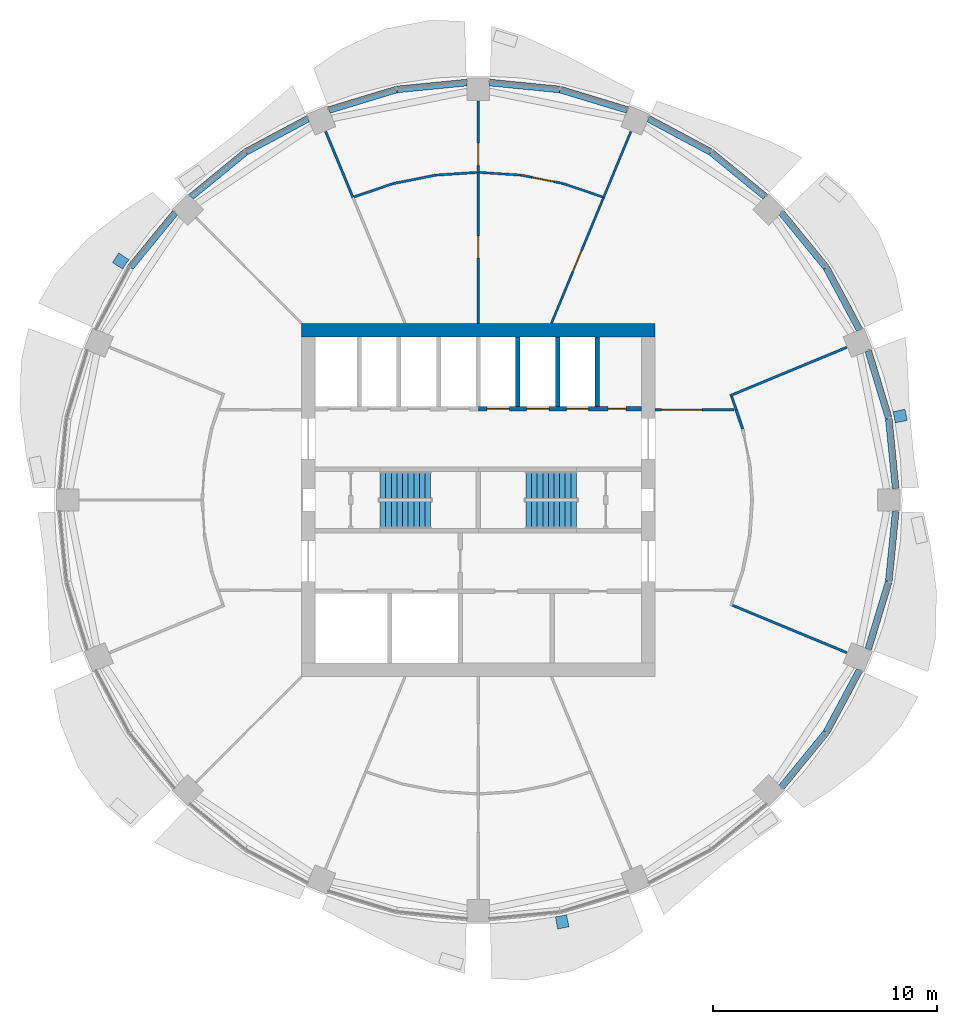
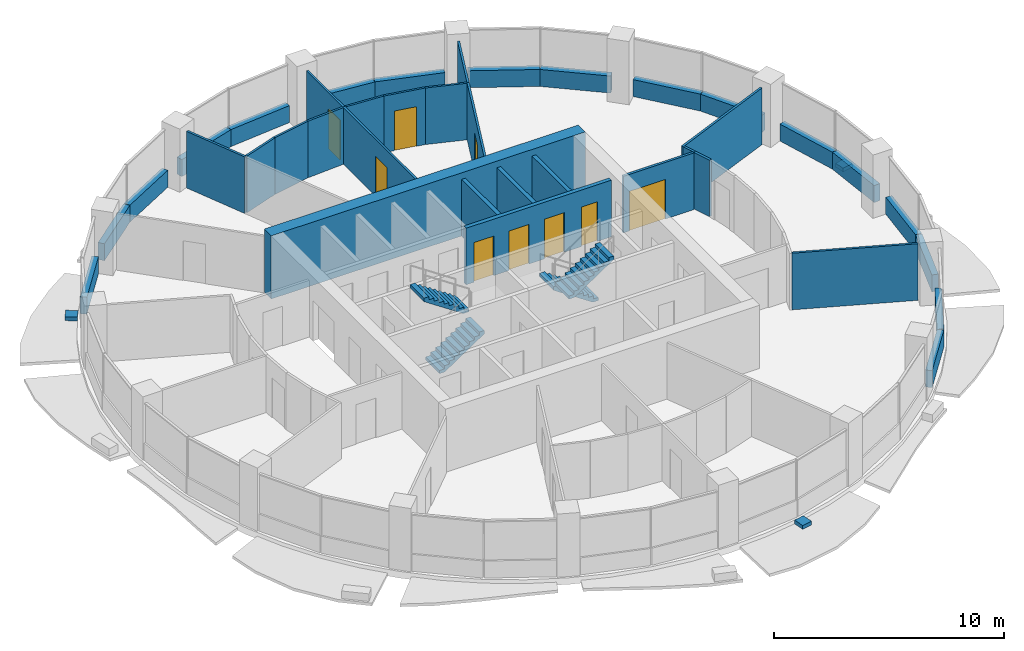
# One storey, part 10 of 14: 38 walls, 9 doors, 4 stair flights, 3 discrete accessories, 9 openings, 2 elements without a shape of their own.
"""IFC4 building model written with IfcOpenShell, lengths in metres."""

from ifc_helpers import new_model, si_unit, direction, frame, frame_2d, origin, place, context, subcontext, project, spatial, polyline, rectangle, outline, extrude, material, layer, layer_set, type_object, element, fill, aggregate, save


model = new_model("IFC4")

# Units and contexts
model_context = context("Model", 3, precision=1e-05, world=origin(), true_north=direction((0.0, 1.0)))
body_context = subcontext(model_context, "Body", "Model", "MODEL_VIEW")
ifc_project = project(units=[si_unit("LENGTHUNIT", "METRE"), si_unit("AREAUNIT", "SQUARE_METRE"), si_unit("VOLUMEUNIT", "CUBIC_METRE"), si_unit("PLANEANGLEUNIT", "RADIAN"), si_unit("MASSUNIT", "GRAM", prefix="KILO")], contexts=[model_context])

# Site, building, storey
site_placement = place(None, origin())
site = spatial("IfcSite", under=ifc_project, at=site_placement, CompositionType="ELEMENT")
building_placement = place(site_placement, origin())
building = spatial("IfcBuilding", under=site, at=building_placement, Name="Polderwave Tower", CompositionType="ELEMENT")
storey_placement = place(building_placement, frame((0.0, 0.0, 144.39990234375)))
storey = spatial("IfcBuildingStorey", under=building, at=storey_placement, Name="L38", CompositionType="ELEMENT", Elevation=144.39990234375)

# Walls
ifc_material_1 = material(Name="Concrete C60/75", Category="concrete")
ifc_layer_1 = layer(ifc_material_1, 0.60009765625)
ifc_layer_set_1 = layer_set([ifc_layer_1], Name="CORE WALL 600 C60/75")
wall_type_1 = type_object("IfcWallType", Name="CORE WALL 600 C60/75", PredefinedType="SHEAR", material=ifc_layer_set_1)
wall_1_placement = place(storey_placement, frame((-7.8740234375, 7.573974609375, 0.0), z_axis=(0.0, 0.0, 1.0), x_axis=(1.0, 0.0, 0.0)))
element("IfcWall", 1, at=wall_1_placement, inside=storey, type_object=wall_type_1, Name="ST-CORE-L38-N", PredefinedType="SHEAR", context=body_context, shape_type="SweptSolid", body=[
    extrude(rectangle(XDim=15.748046875, YDim=0.60009765625, at=frame_2d((7.8740234375, 0.0))), origin(), (0.0, 0.0, 1.0), 3.35009765625),
])
ifc_material_2 = material(Name="Concrete C50/60 (board-marked)", Category="concrete")
ifc_layer_2 = layer(ifc_material_2, 0.300048828125)
ifc_layer_set_2 = layer_set([ifc_layer_2], Name="Concrete spandrel upstand C50/60")
wall_type_2 = type_object("IfcWallType", Name="Concrete spandrel upstand C50/60", PredefinedType="SOLIDWALL", material=ifc_layer_set_2)
wall_2_placement = place(storey_placement, frame((18.599609375, 0.513916015625, 0.0), z_axis=(0.0, 0.0, 1.0), x_axis=(-0.097994848851, 0.995186921939, 0.0)))
element("IfcWall", 2, at=wall_2_placement, inside=storey, type_object=wall_type_2, Name="Spandrel L38 1a", PredefinedType="SOLIDWALL", context=body_context, shape_type="SweptSolid", body=[
    extrude(rectangle(XDim=3.124267578125, YDim=0.300048828125, at=frame_2d((1.56201171875, 0.0))), origin(), (0.0, 0.0, 1.0), 0.900146484375),
])
for number, where, z_axis, x_axis, name in (
    (3, (18.28759765625, 3.65234375, 0.0), (0.0, 0.0, 1.0), (-0.290614442714, 0.95684024042, 0.0), "Spandrel L38 1b"),
    (4, (16.98681640625, 7.59228515625, 0.0), (0.0, 0.0, 1.0), (-0.471577373746, 0.881824688116, 0.0), "Spandrel L38 2a"),
    (5, (15.49658203125, 10.37255859375, 0.0), (0.0, 0.0, 1.0), (-0.633977746593, 0.773351289405, 0.0), "Spandrel L38 2b"),
    (6, (12.789306640625, 13.515380859375, 0.0), (0.0, 0.0, 1.0), (-0.773351289405, 0.633977746593, 0.0), "Spandrel L38 3a"),
    (7, (10.347900390625, 15.51318359375, 0.0), (0.0, 0.0, 1.0), (-0.881824688116, 0.471577373746, 0.0), "Spandrel L38 3b"),
    (8, (6.642578125, 17.37939453125, 0.0), (0.0, 0.0, 1.0), (-0.95684024042, 0.290614442714, 0.0), "Spandrel L38 4a"),
):
    element("IfcWall", number, at=place(storey_placement, frame(where, z_axis=z_axis, x_axis=x_axis)), inside=storey, type_object=wall_type_2, Name=name, PredefinedType="SOLIDWALL", context=body_context, shape_type="SweptSolid", body=[
        extrude(rectangle(XDim=3.125, YDim=0.300048828125, at=frame_2d((1.5625, 0.0))), origin(), (0.0, 0.0, 1.0), 0.900146484375),
    ])
for number, where, z_axis, x_axis, name in (
    (9, (3.623046875, 18.29345703125, 0.0), (0.0, 0.0, 1.0), (-0.995186921939, 0.097994848851, 0.0), "Spandrel L38 4b"),
    (10, (-0.513916015625, 18.599609375, 0.0), (0.0, 0.0, 1.0), (-0.995186921939, -0.097994848851, 0.0), "Spandrel L38 5a"),
):
    element("IfcWall", number, at=place(storey_placement, frame(where, z_axis=z_axis, x_axis=x_axis)), inside=storey, type_object=wall_type_2, Name=name, PredefinedType="SOLIDWALL", context=body_context, shape_type="SweptSolid", body=[
        extrude(rectangle(XDim=3.124267578125, YDim=0.300048828125, at=frame_2d((1.56201171875, 0.0))), origin(), (0.0, 0.0, 1.0), 0.900146484375),
    ])
for number, where, z_axis, x_axis, name in (
    (11, (-3.65234375, 18.28759765625, 0.0), (0.0, 0.0, 1.0), (-0.95684024042, -0.290614442714, 0.0), "Spandrel L38 5b"),
    (12, (-7.59228515625, 16.98681640625, 0.0), (0.0, 0.0, 1.0), (-0.881824688116, -0.471577373746, 0.0), "Spandrel L38 6a"),
    (13, (-10.37255859375, 15.49658203125, 0.0), (0.0, 0.0, 1.0), (-0.773351289405, -0.633977746593, 0.0), "Spandrel L38 6b"),
    (14, (-13.515380859375, 12.789306640625, 0.0), (0.0, 0.0, 1.0), (-0.633977746593, -0.773351289405, 0.0), "Spandrel L38 7a"),
    (15, (13.515380859375, -12.789306640625, 0.0), (0.0, 0.0, 1.0), (0.633977746593, 0.773351289405, 0.0), "Spandrel L38 15a"),
    (16, (15.51318359375, -10.347900390625, 0.0), (0.0, 0.0, 1.0), (0.471577373746, 0.881824688116, 0.0), "Spandrel L38 15b"),
    (17, (17.37939453125, -6.642578125, 0.0), (0.0, 0.0, 1.0), (0.290614442714, 0.95684024042, 0.0), "Spandrel L38 16a"),
):
    element("IfcWall", number, at=place(storey_placement, frame(where, z_axis=z_axis, x_axis=x_axis)), inside=storey, type_object=wall_type_2, Name=name, PredefinedType="SOLIDWALL", context=body_context, shape_type="SweptSolid", body=[
        extrude(rectangle(XDim=3.125, YDim=0.300048828125, at=frame_2d((1.5625, 0.0))), origin(), (0.0, 0.0, 1.0), 0.900146484375),
    ])
wall_3_placement = place(storey_placement, frame((18.29345703125, -3.623046875, 0.0), z_axis=(0.0, 0.0, 1.0), x_axis=(0.097994848851, 0.995186921939, 0.0)))
element("IfcWall", 18, at=wall_3_placement, inside=storey, type_object=wall_type_2, Name="Spandrel L38 16b", PredefinedType="SOLIDWALL", context=body_context, shape_type="SweptSolid", body=[
    extrude(rectangle(XDim=3.124267578125, YDim=0.300048828125, at=frame_2d((1.56201171875, 0.0))), origin(), (0.0, 0.0, 1.0), 0.900146484375),
])

# Wall, openings, doors
ifc_material_3 = material(Name="Concrete C50/60", Category="concrete")
ifc_layer_3 = layer(ifc_material_3, 0.199951171875)
ifc_layer_set_3 = layer_set([ifc_layer_3], Name="Core web wall 200")
wall_type_3 = type_object("IfcWallType", Name="Core web wall 200", PredefinedType="SHEAR", material=ifc_layer_set_3)
wall_4_placement = place(storey_placement, frame((0.0, 4.073974609375, 0.0), z_axis=(0.0, 0.0, 1.0), x_axis=(1.0, 0.0, 0.0)))
wall_4 = element("IfcWall", 19, at=wall_4_placement, inside=storey, type_object=wall_type_3, Name="L38 north front wall 2", PredefinedType="SHEAR", context=body_context, shape_type="SweptSolid", body=[
    extrude(rectangle(XDim=7.27392578125, YDim=0.199951171875, at=frame_2d((3.636962890625, 0.0))), origin(), (0.0, 0.0, 1.0), 3.0),
])
opening_1_placement = place(wall_4_placement, frame((0.38427734375, 0.0, 0.0)))
opening_1 = element("IfcOpeningElement", 20, at=opening_1_placement, cuts=wall_4, Name="Opening L38-D07", PredefinedType="OPENING", context=body_context, shape_type="SweptSolid", body=[
    extrude(rectangle(XDim=1.0, YDim=2.10009765625, at=frame_2d((0.5, 1.050048828125))), frame((0.0, 0.10986328125, 0.0), z_axis=(0.0, -1.0, 0.0), x_axis=(1.0, 0.0, 0.0)), (0.0, 0.0, 1.0), 0.219970703125),
])
opening_2_placement = place(wall_4_placement, frame((2.15283203125, 0.0, 0.0)))
opening_2 = element("IfcOpeningElement", 21, at=opening_2_placement, cuts=wall_4, Name="Opening L38-D08", PredefinedType="OPENING", context=body_context, shape_type="SweptSolid", body=[
    extrude(rectangle(XDim=1.0, YDim=2.10009765625, at=frame_2d((0.5, 1.050048828125))), frame((0.0, 0.10986328125, 0.0), z_axis=(0.0, -1.0, 0.0), x_axis=(1.0, 0.0, 0.0)), (0.0, 0.0, 1.0), 0.219970703125),
])
opening_3_placement = place(wall_4_placement, frame((3.921142578125, 0.0, 0.0)))
opening_3 = element("IfcOpeningElement", 22, at=opening_3_placement, cuts=wall_4, Name="Opening L38-D09", PredefinedType="OPENING", context=body_context, shape_type="SweptSolid", body=[
    extrude(rectangle(XDim=1.0, YDim=2.10009765625, at=frame_2d((0.5, 1.050048828125))), frame((0.0, 0.10986328125, 0.0), z_axis=(0.0, -1.0, 0.0), x_axis=(1.0, 0.0, 0.0)), (0.0, 0.0, 1.0), 0.219970703125),
])
opening_4_placement = place(wall_4_placement, frame((5.789794921875, 0.0, 0.0)))
opening_4 = element("IfcOpeningElement", 23, at=opening_4_placement, cuts=wall_4, Name="Opening L38-D17", PredefinedType="OPENING", context=body_context, shape_type="SweptSolid", body=[
    extrude(rectangle(XDim=0.800048828125, YDim=2.10009765625, at=frame_2d((0.39990234375, 1.050048828125))), frame((0.0, 0.10986328125, 0.0), z_axis=(0.0, -1.0, 0.0), x_axis=(1.0, 0.0, 0.0)), (0.0, 0.0, 1.0), 0.219970703125),
])
ifc_material_4 = material(Name="Stainless steel", Category="steel")
door_type_1 = type_object("IfcDoorType", Name="Lift landing door 1000", OperationType="DOUBLE_DOOR_SLIDING", PredefinedType="DOOR", material=ifc_material_4)
door_1_placement = place(opening_1_placement, frame((1.0, 0.0, 0.0), z_axis=(0.0, 0.0, 1.0), x_axis=(-1.0, 0.0, 0.0)))
door_1 = element("IfcDoor", 24, at=door_1_placement, inside=storey, type_object=door_type_1, Name="Lift HL5 landing door", OperationType="DOUBLE_DOOR_SLIDING", OverallHeight=2.10009765625, OverallWidth=1.0, PredefinedType="DOOR", context=body_context, shape_type="SweptSolid", body=[
    extrude(rectangle(XDim=1.0, YDim=2.10009765625, at=frame_2d((0.5, 1.050048828125))), frame((0.0, 0.02490234375, 0.0), z_axis=(0.0, -1.0, 0.0), x_axis=(1.0, 0.0, 0.0)), (0.0, 0.0, 1.0), 0.050048828125),
])
fill(opening_1, door_1)
door_2_placement = place(opening_2_placement, frame((1.0, 0.0, 0.0), z_axis=(0.0, 0.0, 1.0), x_axis=(-1.0, 0.0, 0.0)))
door_2 = element("IfcDoor", 25, at=door_2_placement, inside=storey, type_object=door_type_1, Name="Lift HL6 landing door", OperationType="DOUBLE_DOOR_SLIDING", OverallHeight=2.10009765625, OverallWidth=1.0, PredefinedType="DOOR", context=body_context, shape_type="SweptSolid", body=[
    extrude(rectangle(XDim=1.0, YDim=2.10009765625, at=frame_2d((0.5, 1.050048828125))), frame((0.0, 0.02490234375, 0.0), z_axis=(0.0, -1.0, 0.0), x_axis=(1.0, 0.0, 0.0)), (0.0, 0.0, 1.0), 0.050048828125),
])
fill(opening_2, door_2)
door_3_placement = place(opening_3_placement, frame((1.0, 0.0, 0.0), z_axis=(0.0, 0.0, 1.0), x_axis=(-1.0, 0.0, 0.0)))
door_3 = element("IfcDoor", 26, at=door_3_placement, inside=storey, type_object=door_type_1, Name="Lift HL7 landing door", OperationType="DOUBLE_DOOR_SLIDING", OverallHeight=2.10009765625, OverallWidth=1.0, PredefinedType="DOOR", context=body_context, shape_type="SweptSolid", body=[
    extrude(rectangle(XDim=1.0, YDim=2.10009765625, at=frame_2d((0.5, 1.050048828125))), frame((0.0, 0.02490234375, 0.0), z_axis=(0.0, -1.0, 0.0), x_axis=(1.0, 0.0, 0.0)), (0.0, 0.0, 1.0), 0.050048828125),
])
fill(opening_3, door_3)
ifc_material_5 = material(Name="Steel fire door", Category="steel")
door_type_2 = type_object("IfcDoorType", Name="Riser door 800", OperationType="NOTDEFINED", PredefinedType="DOOR", material=ifc_material_5)
door_4_placement = place(opening_4_placement, frame((0.800048828125, 0.0, 0.0), z_axis=(0.0, 0.0, 1.0), x_axis=(-1.0, 0.0, 0.0)))
door_4 = element("IfcDoor", 27, at=door_4_placement, inside=storey, type_object=door_type_2, Name="Riser door", OperationType="SINGLE_SWING_LEFT", OverallHeight=2.10009765625, OverallWidth=0.800048828125, PredefinedType="DOOR", context=body_context, shape_type="SweptSolid", body=[
    extrude(rectangle(XDim=0.800048828125, YDim=2.10009765625, at=frame_2d((0.39990234375, 1.050048828125))), frame((0.0, 0.02490234375, 0.0), z_axis=(0.0, -1.0, 0.0), x_axis=(1.0, 0.0, 0.0)), (0.0, 0.0, 1.0), 0.050048828125),
])
fill(opening_4, door_4)

# Wall
ifc_material_6 = material(Name="Fire-resisting board on steel studs", Category="steel")
ifc_layer_4 = layer(ifc_material_6, 0.125)
ifc_layer_set_4 = layer_set([ifc_layer_4], Name="Corridor wall 125 mm EI 60")
wall_type_4 = type_object("IfcWallType", Name="Corridor wall 125 mm EI 60", PredefinedType="PARTITIONING", material=ifc_layer_set_4)
wall_5_placement = place(storey_placement, frame((11.489990234375, 4.0244140625, 0.0), z_axis=(0.0, 0.0, 1.0), x_axis=(0.321528033916, -0.946900059883, 0.0)))
element("IfcWall", 28, at=wall_5_placement, inside=storey, type_object=wall_type_4, Name="IN-L38-W001", PredefinedType="PARTITIONING", context=body_context, shape_type="SweptSolid", body=[
    extrude(rectangle(XDim=0.9111328125, YDim=0.125, at=frame_2d((0.45556640625, 0.0))), origin(), (0.0, 0.0, 1.0), 3.0),
])

# Wall, opening, door
wall_6_placement = place(storey_placement, frame((7.8740234375, 4.0244140625, 0.0), z_axis=(0.0, 0.0, 1.0), x_axis=(1.0, 0.0, 0.0)))
wall_6 = element("IfcWall", 29, at=wall_6_placement, inside=storey, type_object=wall_type_4, Name="IN-L38-W007", PredefinedType="PARTITIONING", context=body_context, shape_type="SweptSolid", body=[
    extrude(rectangle(XDim=3.52880859375, YDim=0.125, at=frame_2d((1.764404296875, 0.0))), origin(), (0.0, 0.0, 1.0), 3.0),
])
opening_5_placement = place(wall_6_placement, frame((0.300048828125, 0.0, 0.0)))
opening_5 = element("IfcOpeningElement", 30, at=opening_5_placement, cuts=wall_6, Name="Opening L38-D51", PredefinedType="OPENING", context=body_context, shape_type="SweptSolid", body=[
    extrude(rectangle(XDim=1.800048828125, YDim=2.10009765625, at=frame_2d((0.89990234375, 1.050048828125))), frame((0.0, 0.072509765625, 0.0), z_axis=(0.0, -1.0, 0.0), x_axis=(1.0, 0.0, 0.0)), (0.0, 0.0, 1.0), 0.14501953125),
])
ifc_material_7 = material(Name="Timber fire door leaves", Category="wood")
door_type_3 = type_object("IfcDoorType", Name="Double fire door FD30S 1800 x 2100", OperationType="NOTDEFINED", PredefinedType="DOOR", material=ifc_material_7)
door_5_placement = place(opening_5_placement, origin())
door_5 = element("IfcDoor", 31, at=door_5_placement, inside=storey, type_object=door_type_3, Name="Door L38-D51", OperationType="DOUBLE_DOOR_SINGLE_SWING", OverallHeight=2.10009765625, OverallWidth=1.800048828125, PredefinedType="DOOR", context=body_context, shape_type="SweptSolid", body=[
    extrude(rectangle(XDim=1.800048828125, YDim=2.10009765625, at=frame_2d((0.89990234375, 1.050048828125))), frame((0.0, 0.02490234375, 0.0), z_axis=(0.0, -1.0, 0.0), x_axis=(1.0, 0.0, 0.0)), (0.0, 0.0, 1.0), 0.050048828125),
])
fill(opening_5, door_5)

ifc_material_8 = material(Name="Plasterboard on steel studs", Category="steel")
ifc_layer_5 = layer(ifc_material_8, 0.10009765625)
ifc_layer_set_5 = layer_set([ifc_layer_5], Name="Partition 100 mm plasterboard on steel studs")
wall_type_5 = type_object("IfcWallType", Name="Partition 100 mm plasterboard on steel studs", PredefinedType="PARTITIONING", material=ifc_layer_set_5)
wall_7_placement = place(storey_placement, frame((3.261474609375, 7.8740234375, 0.0), z_axis=(0.0, 0.0, 1.0), x_axis=(0.382694772383, 0.92387483524, 0.0)))
wall_7 = element("IfcWall", 32, at=wall_7_placement, inside=storey, type_object=wall_type_5, Name="IN-L38-W021", PredefinedType="PARTITIONING", context=body_context, shape_type="SweptSolid", body=[
    extrude(rectangle(XDim=6.0771484375, YDim=0.10009765625, at=frame_2d((3.03857421875, 0.0))), origin(), (0.0, 0.0, 1.0), 3.0),
])
opening_6_placement = place(wall_7_placement, frame((2.5, 0.0, 0.0)))
opening_6 = element("IfcOpeningElement", 33, at=opening_6_placement, cuts=wall_7, Name="Opening L38-D57", PredefinedType="OPENING", context=body_context, shape_type="SweptSolid", body=[
    extrude(rectangle(XDim=1.0, YDim=2.10009765625, at=frame_2d((0.5, 1.050048828125))), frame((0.0, 0.06005859375, 0.0), z_axis=(0.0, -1.0, 0.0), x_axis=(1.0, 0.0, 0.0)), (0.0, 0.0, 1.0), 0.1201171875),
])
ifc_material_9 = material(Name="Timber veneer door leaf", Category="wood")
door_type_4 = type_object("IfcDoorType", Name="Single door 1000 x 2100", OperationType="NOTDEFINED", PredefinedType="DOOR", material=ifc_material_9)
door_6_placement = place(opening_6_placement, origin())
door_6 = element("IfcDoor", 34, at=door_6_placement, inside=storey, type_object=door_type_4, Name="Door L38-D57", OperationType="SINGLE_SWING_LEFT", OverallHeight=2.10009765625, OverallWidth=1.0, PredefinedType="DOOR", context=body_context, shape_type="SweptSolid", body=[
    extrude(rectangle(XDim=1.0, YDim=2.10009765625, at=frame_2d((0.5, 1.050048828125))), frame((0.0, 0.02490234375, 0.0), z_axis=(0.0, -1.0, 0.0), x_axis=(1.0, 0.0, 0.0)), (0.0, 0.0, 1.0), 0.050048828125),
])
fill(opening_6, door_6)

# Walls
wall_8_placement = place(storey_placement, frame((5.587158203125, 13.488525390625, 0.0), z_axis=(0.0, 0.0, 1.0), x_axis=(0.382689618566, 0.923876970079, 0.0)))
element("IfcWall", 35, at=wall_8_placement, inside=storey, type_object=wall_type_5, Name="IN-L38-W022", PredefinedType="PARTITIONING", context=body_context, shape_type="SweptSolid", body=[
    extrude(rectangle(XDim=3.169921875, YDim=0.10009765625, at=frame_2d((1.5849609375, 0.0))), origin(), (0.0, 0.0, 1.0), 3.0),
])
wall_9_placement = place(storey_placement, frame((0.055908203125, 14.59619140625, 0.0), z_axis=(0.0, 0.0, 1.0), x_axis=(0.99786499138, -0.065310481387, 0.0)))
element("IfcWall", 36, at=wall_9_placement, inside=storey, type_object=wall_type_5, Name="IN-L38-W023", PredefinedType="PARTITIONING", context=body_context, shape_type="SweptSolid", body=[
    extrude(rectangle(XDim=1.850341796875, YDim=0.10009765625, at=frame_2d((0.92529296875, 0.0))), origin(), (0.0, 0.0, 1.0), 3.0),
])

# Wall, opening, door
wall_10_placement = place(storey_placement, frame((1.908935546875, 14.474609375, 0.0), z_axis=(0.0, 0.0, 1.0), x_axis=(0.980757879189, -0.195228026697, 0.0)))
wall_10 = element("IfcWall", 37, at=wall_10_placement, inside=storey, type_object=wall_type_5, Name="IN-L38-W024", PredefinedType="PARTITIONING", context=body_context, shape_type="SweptSolid", body=[
    extrude(rectangle(XDim=1.9033203125, YDim=0.10009765625, at=frame_2d((0.95166015625, 0.0))), origin(), (0.0, 0.0, 1.0), 3.0),
])
opening_7_placement = place(wall_10_placement, frame((0.5, 0.0, 0.0)))
opening_7 = element("IfcOpeningElement", 38, at=opening_7_placement, cuts=wall_10, Name="Opening L38-D58", PredefinedType="OPENING", context=body_context, shape_type="SweptSolid", body=[
    extrude(rectangle(XDim=1.0, YDim=2.10009765625, at=frame_2d((0.5, 1.050048828125))), frame((0.0, 0.06005859375, 0.0), z_axis=(0.0, -1.0, 0.0), x_axis=(1.0, 0.0, 0.0)), (0.0, 0.0, 1.0), 0.1201171875),
])
door_7_placement = place(opening_7_placement, origin())
door_7 = element("IfcDoor", 39, at=door_7_placement, inside=storey, type_object=door_type_4, Name="Door L38-D58", OperationType="SINGLE_SWING_RIGHT", OverallHeight=2.10009765625, OverallWidth=1.0, PredefinedType="DOOR", context=body_context, shape_type="SweptSolid", body=[
    extrude(rectangle(XDim=1.0, YDim=2.10009765625, at=frame_2d((0.5, 1.050048828125))), frame((0.0, 0.02490234375, 0.0), z_axis=(0.0, -1.0, 0.0), x_axis=(1.0, 0.0, 0.0)), (0.0, 0.0, 1.0), 0.050048828125),
])
fill(opening_7, door_7)

# Wall
wall_11_placement = place(storey_placement, frame((3.781982421875, 14.101318359375, 0.0), z_axis=(0.0, 0.0, 1.0), x_axis=(0.94695650577, -0.321361752828, 0.0)))
element("IfcWall", 40, at=wall_11_placement, inside=storey, type_object=wall_type_5, Name="IN-L38-W025", PredefinedType="PARTITIONING", context=body_context, shape_type="SweptSolid", body=[
    extrude(rectangle(XDim=1.85302734375, YDim=0.10009765625, at=frame_2d((0.926513671875, 0.0))), origin(), (0.0, 0.0, 1.0), 3.0),
])

# Wall, opening, door
wall_12_placement = place(storey_placement, frame((0.0, 14.60009765625, 0.0), z_axis=(0.0, 0.0, 1.0), x_axis=(0.0, 1.0, 0.0)))
wall_12 = element("IfcWall", 41, at=wall_12_placement, inside=storey, type_object=wall_type_5, Name="IN-L38-W027", PredefinedType="PARTITIONING", context=body_context, shape_type="SweptSolid", body=[
    extrude(rectangle(XDim=3.169921875, YDim=0.10009765625, at=frame_2d((1.5849609375, 0.0))), origin(), (0.0, 0.0, 1.0), 3.0),
])
opening_8_placement = place(wall_12_placement, frame((0.300048828125, 0.0, 0.0)))
opening_8 = element("IfcOpeningElement", 42, at=opening_8_placement, cuts=wall_12, Name="Opening L38-D60", PredefinedType="OPENING", context=body_context, shape_type="SweptSolid", body=[
    extrude(rectangle(XDim=1.0, YDim=2.10009765625, at=frame_2d((0.5, 1.050048828125))), frame((0.0, 0.06005859375, 0.0), z_axis=(0.0, -1.0, 0.0), x_axis=(1.0, 0.0, 0.0)), (0.0, 0.0, 1.0), 0.1201171875),
])
door_8_placement = place(opening_8_placement, origin())
door_8 = element("IfcDoor", 43, at=door_8_placement, inside=storey, type_object=door_type_4, Name="Door L38-D60", OperationType="SINGLE_SWING_LEFT", OverallHeight=2.10009765625, OverallWidth=1.0, PredefinedType="DOOR", context=body_context, shape_type="SweptSolid", body=[
    extrude(rectangle(XDim=1.0, YDim=2.10009765625, at=frame_2d((0.5, 1.050048828125))), frame((0.0, 0.02490234375, 0.0), z_axis=(0.0, -1.0, 0.0), x_axis=(1.0, 0.0, 0.0)), (0.0, 0.0, 1.0), 0.050048828125),
])
fill(opening_8, door_8)

ifc_material_10 = material(Name="Moisture-resistant board on steel studs, tiled", Category="steel")
ifc_layer_6 = layer(ifc_material_10, 0.10498046875)
ifc_layer_set_6 = layer_set([ifc_layer_6], Name="Partition 105 mm wet room board and tile")
wall_type_6 = type_object("IfcWallType", Name="Partition 105 mm wet room board and tile", PredefinedType="PARTITIONING", material=ifc_layer_set_6)
wall_13_placement = place(storey_placement, frame((0.0, 7.8740234375, 0.0), z_axis=(0.0, 0.0, 1.0), x_axis=(0.0, 1.0, 0.0)))
wall_13 = element("IfcWall", 44, at=wall_13_placement, inside=storey, type_object=wall_type_6, Name="IN-L38-W026", PredefinedType="PARTITIONING", context=body_context, shape_type="SweptSolid", body=[
    extrude(rectangle(XDim=6.72607421875, YDim=0.10498046875, at=frame_2d((3.363037109375, 0.0))), origin(), (0.0, 0.0, 1.0), 3.0),
])
opening_9_placement = place(wall_13_placement, frame((2.89990234375, 0.0, 0.0)))
opening_9 = element("IfcOpeningElement", 45, at=opening_9_placement, cuts=wall_13, Name="Opening L38-D59", PredefinedType="OPENING", context=body_context, shape_type="SweptSolid", body=[
    extrude(rectangle(XDim=1.0, YDim=2.10009765625, at=frame_2d((0.5, 1.050048828125))), frame((0.0, 0.0625, 0.0), z_axis=(0.0, -1.0, 0.0), x_axis=(1.0, 0.0, 0.0)), (0.0, 0.0, 1.0), 0.125),
])
door_9_placement = place(opening_9_placement, origin())
door_9 = element("IfcDoor", 46, at=door_9_placement, inside=storey, type_object=door_type_4, Name="Door L38-D59", OperationType="SINGLE_SWING_RIGHT", OverallHeight=2.10009765625, OverallWidth=1.0, PredefinedType="DOOR", context=body_context, shape_type="SweptSolid", body=[
    extrude(rectangle(XDim=1.0, YDim=2.10009765625, at=frame_2d((0.5, 1.050048828125))), frame((0.0, 0.02490234375, 0.0), z_axis=(0.0, -1.0, 0.0), x_axis=(1.0, 0.0, 0.0)), (0.0, 0.0, 1.0), 0.050048828125),
])
fill(opening_9, door_9)

# Walls
wall_14_placement = place(storey_placement, frame((-5.53173828125, 13.50732421875, 0.0), z_axis=(0.0, 0.0, 1.0), x_axis=(0.946924847976, 0.321455023737, 0.0)))
element("IfcWall", 47, at=wall_14_placement, inside=storey, type_object=wall_type_6, Name="IN-L38-W028", PredefinedType="PARTITIONING", context=body_context, shape_type="SweptSolid", body=[
    extrude(rectangle(XDim=1.847900390625, YDim=0.10498046875, at=frame_2d((0.923828125, 0.0))), origin(), (0.0, 0.0, 1.0), 3.0),
])
wall_15_placement = place(storey_placement, frame((-3.775390625, 14.103271484375, 0.0), z_axis=(0.0, 0.0, 1.0), x_axis=(0.980797213672, 0.19503031983, 0.0)))
element("IfcWall", 48, at=wall_15_placement, inside=storey, type_object=wall_type_6, Name="IN-L38-W029", PredefinedType="PARTITIONING", context=body_context, shape_type="SweptSolid", body=[
    extrude(rectangle(XDim=1.90283203125, YDim=0.10498046875, at=frame_2d((0.951416015625, 0.0))), origin(), (0.0, 0.0, 1.0), 3.0),
])
wall_16_placement = place(storey_placement, frame((-1.90234375, 14.475341796875, 0.0), z_axis=(0.0, 0.0, 1.0), x_axis=(0.99786499138, 0.065310481387, 0.0)))
element("IfcWall", 49, at=wall_16_placement, inside=storey, type_object=wall_type_6, Name="IN-L38-W030", PredefinedType="PARTITIONING", context=body_context, shape_type="SweptSolid", body=[
    extrude(rectangle(XDim=1.850341796875, YDim=0.10498046875, at=frame_2d((0.92529296875, 0.0))), origin(), (0.0, 0.0, 1.0), 3.0),
])
ifc_material_11 = material(Name="Acoustic double plasterboard on steel studs", Category="steel")
ifc_layer_7 = layer(ifc_material_11, 0.110107421875)
ifc_layer_set_7 = layer_set([ifc_layer_7], Name="Partition 110 mm acoustic double board")
wall_type_7 = type_object("IfcWallType", Name="Partition 110 mm acoustic double board", PredefinedType="PARTITIONING", material=ifc_layer_set_7)
wall_17_placement = place(storey_placement, frame((11.220458984375, 4.647705078125, 0.0), z_axis=(0.0, 0.0, 1.0), x_axis=(0.923878763535, 0.382685288833, 0.0)))
element("IfcWall", 50, at=wall_17_placement, inside=storey, type_object=wall_type_7, Name="IN-L38-W017", PredefinedType="PARTITIONING", context=body_context, shape_type="SweptSolid", body=[
    extrude(rectangle(XDim=5.625, YDim=0.110107421875, at=frame_2d((2.8125, 0.0))), origin(), (0.0, 0.0, 1.0), 3.0),
])
wall_18_placement = place(storey_placement, frame((11.489990234375, 4.0244140625, 0.0), z_axis=(0.0, 0.0, 1.0), x_axis=(-0.321290054949, 0.946980834331, 0.0)))
element("IfcWall", 51, at=wall_18_placement, inside=storey, type_object=wall_type_7, Name="IN-L38-W018", PredefinedType="PARTITIONING", context=body_context, shape_type="SweptSolid", body=[
    extrude(rectangle(XDim=0.62158203125, YDim=0.110107421875, at=frame_2d((0.310791015625, 0.0))), origin(), (0.0, 0.0, 1.0), 3.0),
])
wall_19_placement = place(storey_placement, frame((16.417236328125, -6.80029296875, 0.0), z_axis=(0.0, 0.0, 1.0), x_axis=(-0.923870508307, 0.382705217994, 0.0)))
element("IfcWall", 52, at=wall_19_placement, inside=storey, type_object=wall_type_7, Name="IN-L38-W020", PredefinedType="PARTITIONING", context=body_context, shape_type="SweptSolid", body=[
    extrude(rectangle(XDim=5.51123046875, YDim=0.110107421875, at=frame_2d((2.755615234375, 0.0))), origin(), (0.0, 0.0, 1.0), 3.0),
])
wall_20_placement = place(storey_placement, frame((-5.587158203125, 13.488525390625, 0.0), z_axis=(0.0, 0.0, 1.0), x_axis=(-0.382689618566, 0.923876970079, 0.0)))
element("IfcWall", 53, at=wall_20_placement, inside=storey, type_object=wall_type_7, Name="IN-L38-W032", PredefinedType="PARTITIONING", context=body_context, shape_type="SweptSolid", body=[
    extrude(rectangle(XDim=3.169921875, YDim=0.110107421875, at=frame_2d((1.5849609375, 0.0))), origin(), (0.0, 0.0, 1.0), 3.0),
])
ifc_material_12 = material(Name="Gypsum shaft wall system")
ifc_layer_8 = layer(ifc_material_12, 0.199951171875)
ifc_layer_set_8 = layer_set([ifc_layer_8], Name="Shaft wall 200")
wall_type_8 = type_object("IfcWallType", Name="Shaft wall 200", PredefinedType="PARTITIONING", material=ifc_layer_set_8)
for number, where, z_axis, x_axis, name in (
    (54, (1.7685546875, 4.174072265625, 0.0), (0.0, 0.0, 1.0), (0.0, 1.0, 0.0), "L38 lift shaft wall N5"),
    (55, (3.537109375, 4.174072265625, 0.0), (0.0, 0.0, 1.0), (0.0, 1.0, 0.0), "L38 lift shaft wall N6"),
    (56, (5.305419921875, 4.174072265625, 0.0), (0.0, 0.0, 1.0), (0.0, 1.0, 0.0), "L38 lift shaft wall N7"),
):
    element("IfcWall", number, at=place(storey_placement, frame(where, z_axis=z_axis, x_axis=x_axis)), inside=storey, type_object=wall_type_8, Name=name, PredefinedType="PARTITIONING", context=body_context, shape_type="SweptSolid", body=[
        extrude(rectangle(XDim=3.099853515625, YDim=0.199951171875, at=frame_2d((1.5498046875, 0.0))), origin(), (0.0, 0.0, 1.0), 3.0),
    ])

# Stair, stair flights
ifc_material_13 = material(Name="Concrete C40/50", Category="concrete")
stair_type = type_object("IfcStairType", Name="Exit stair 1200 x 20 risers", PredefinedType="HALF_TURN_STAIR", material=ifc_material_13)
stair_1_placement = place(storey_placement, origin())
stair_1 = element("IfcStair", 57, at=stair_1_placement, inside=storey, type_object=stair_type, Name="L38 Exit stair A", PredefinedType="HALF_TURN_STAIR")
stair_flight_type = type_object("IfcStairFlightType", Name="Stair flight 1200", PredefinedType="STRAIGHT", material=ifc_material_13)
stair_flight_1_placement = place(storey_placement, frame((-4.3740234375, -0.675048828125, 0.0), z_axis=(0.0, 0.0, 1.0), x_axis=(1.0, 0.0, 0.0)))
stair_flight_1 = element("IfcStairFlight", 58, at=stair_flight_1_placement, type_object=stair_flight_type, Name="ST-A flight 1", NumberOfRisers=10, NumberOfTreads=9, PredefinedType="STRAIGHT", RiserHeight=0.1675, TreadLength=0.25, context=body_context, shape_type="SweptSolid", body=[
    extrude(outline(polyline([(0.0, 0.0), (0.0, 0.16748046875), (0.25, 0.16748046875), (0.25, 0.3349609375), (0.5, 0.3349609375), (0.5, 0.50244140625), (0.75, 0.50244140625), (0.75, 0.669921875), (1.0, 0.669921875), (1.0, 0.83740234375), (1.25, 0.83740234375), (1.25, 1.0048828125), (1.5, 1.0048828125), (1.5, 1.172607421875), (1.75, 1.172607421875), (1.75, 1.340087890625), (2.0, 1.340087890625), (2.0, 1.507568359375), (2.25, 1.507568359375), (2.25, 1.675048828125), (2.25, 1.3271484375), (0.269287109375, 0.0), (0.0, 0.0)])), frame((0.0, 0.60009765625, 0.0), z_axis=(0.0, -1.0, 0.0), x_axis=(1.0, 0.0, 0.0)), (0.0, 0.0, 1.0), 1.199951171875),
])
stair_flight_2_placement = place(storey_placement, frame((-2.1240234375, 0.675048828125, 1.675048828125), z_axis=(0.0, 0.0, 1.0), x_axis=(-1.0, 0.0, 0.0)))
stair_flight_2 = element("IfcStairFlight", 59, at=stair_flight_2_placement, type_object=stair_flight_type, Name="ST-A flight 2", NumberOfRisers=10, NumberOfTreads=9, PredefinedType="STRAIGHT", RiserHeight=0.1675, TreadLength=0.25, context=body_context, shape_type="SweptSolid", body=[
    extrude(outline(polyline([(0.0, 0.0), (0.0, 0.16748046875), (0.25, 0.16748046875), (0.25, 0.3349609375), (0.5, 0.3349609375), (0.5, 0.50244140625), (0.75, 0.50244140625), (0.75, 0.669921875), (1.0, 0.669921875), (1.0, 0.83740234375), (1.25, 0.83740234375), (1.25, 1.0048828125), (1.5, 1.0048828125), (1.5, 1.172607421875), (1.75, 1.172607421875), (1.75, 1.340087890625), (2.0, 1.340087890625), (2.0, 1.507568359375), (2.25, 1.507568359375), (2.25, 1.675048828125), (2.25, 1.3271484375), (0.269287109375, 0.0), (0.0, 0.0)])), frame((0.0, 0.60009765625, 0.0), z_axis=(0.0, -1.0, 0.0), x_axis=(1.0, 0.0, 0.0)), (0.0, 0.0, 1.0), 1.199951171875),
])
aggregate(stair_1, [stair_flight_1, stair_flight_2])

stair_2_placement = place(storey_placement, origin())
stair_2 = element("IfcStair", 60, at=stair_2_placement, inside=storey, type_object=stair_type, Name="L38 Exit stair B", PredefinedType="HALF_TURN_STAIR")
stair_flight_3_placement = place(storey_placement, frame((4.3740234375, 0.675048828125, 0.0), z_axis=(0.0, 0.0, 1.0), x_axis=(-1.0, 0.0, 0.0)))
stair_flight_3 = element("IfcStairFlight", 61, at=stair_flight_3_placement, type_object=stair_flight_type, Name="ST-B flight 1", NumberOfRisers=10, NumberOfTreads=9, PredefinedType="STRAIGHT", RiserHeight=0.1675, TreadLength=0.25, context=body_context, shape_type="SweptSolid", body=[
    extrude(outline(polyline([(0.0, 0.0), (0.0, 0.16748046875), (0.25, 0.16748046875), (0.25, 0.3349609375), (0.5, 0.3349609375), (0.5, 0.50244140625), (0.75, 0.50244140625), (0.75, 0.669921875), (1.0, 0.669921875), (1.0, 0.83740234375), (1.25, 0.83740234375), (1.25, 1.0048828125), (1.5, 1.0048828125), (1.5, 1.172607421875), (1.75, 1.172607421875), (1.75, 1.340087890625), (2.0, 1.340087890625), (2.0, 1.507568359375), (2.25, 1.507568359375), (2.25, 1.675048828125), (2.25, 1.3271484375), (0.269287109375, 0.0), (0.0, 0.0)])), frame((0.0, 0.60009765625, 0.0), z_axis=(0.0, -1.0, 0.0), x_axis=(1.0, 0.0, 0.0)), (0.0, 0.0, 1.0), 1.199951171875),
])
stair_flight_4_placement = place(storey_placement, frame((2.1240234375, -0.675048828125, 1.675048828125), z_axis=(0.0, 0.0, 1.0), x_axis=(1.0, 0.0, 0.0)))
stair_flight_4 = element("IfcStairFlight", 62, at=stair_flight_4_placement, type_object=stair_flight_type, Name="ST-B flight 2", NumberOfRisers=10, NumberOfTreads=9, PredefinedType="STRAIGHT", RiserHeight=0.1675, TreadLength=0.25, context=body_context, shape_type="SweptSolid", body=[
    extrude(outline(polyline([(0.0, 0.0), (0.0, 0.16748046875), (0.25, 0.16748046875), (0.25, 0.3349609375), (0.5, 0.3349609375), (0.5, 0.50244140625), (0.75, 0.50244140625), (0.75, 0.669921875), (1.0, 0.669921875), (1.0, 0.83740234375), (1.25, 0.83740234375), (1.25, 1.0048828125), (1.5, 1.0048828125), (1.5, 1.172607421875), (1.75, 1.172607421875), (1.75, 1.340087890625), (2.0, 1.340087890625), (2.0, 1.507568359375), (2.25, 1.507568359375), (2.25, 1.675048828125), (2.25, 1.3271484375), (0.269287109375, 0.0), (0.0, 0.0)])), frame((0.0, 0.60009765625, 0.0), z_axis=(0.0, -1.0, 0.0), x_axis=(1.0, 0.0, 0.0)), (0.0, 0.0, 1.0), 1.199951171875),
])
aggregate(stair_2, [stair_flight_3, stair_flight_4])

# Discrete accessories
ifc_material_14 = material(Name="Steel S355", Category="steel")
discrete_accessory_type = type_object("IfcDiscreteAccessoryType", Name="Band bracket pad", PredefinedType="BRACKET", material=ifc_material_14)
discrete_accessory_1_placement = place(storey_placement, frame((0.0, 0.0, -0.199951171875)))
element("IfcDiscreteAccessory", 63, at=discrete_accessory_1_placement, inside=storey, type_object=discrete_accessory_type, Name="Band bracket L38 1", PredefinedType="BRACKET", context=body_context, shape_type="SweptSolid", body=[
    extrude(outline(polyline([(18.573486328125, 3.43994140625), (18.536865234375, 3.687255859375), (18.47607421875, 3.9296875), (19.01416015625, 4.044189453125), (19.1142578125, 3.5400390625), (18.573486328125, 3.43994140625)])), origin(), (0.0, 0.0, 1.0), 0.199951171875),
])
discrete_accessory_2_placement = place(storey_placement, frame((0.0, 0.0, -0.199951171875)))
element("IfcDiscreteAccessory", 64, at=discrete_accessory_2_placement, inside=storey, type_object=discrete_accessory_type, Name="Band bracket L38 7", PredefinedType="BRACKET", context=body_context, shape_type="SweptSolid", body=[
    extrude(outline(polyline([(-15.56591796875, 10.701171875), (-15.71484375, 10.500244140625), (-15.84326171875, 10.285888671875), (-16.3046875, 10.585205078125), (-16.01904296875, 11.0126953125), (-15.56591796875, 10.701171875)])), origin(), (0.0, 0.0, 1.0), 0.199951171875),
])
discrete_accessory_3_placement = place(storey_placement, frame((0.0, 0.0, -0.199951171875)))
element("IfcDiscreteAccessory", 65, at=discrete_accessory_3_placement, inside=storey, type_object=discrete_accessory_type, Name="Band bracket L38 13", PredefinedType="BRACKET", context=body_context, shape_type="SweptSolid", body=[
    extrude(outline(polyline([(3.43994140625, -18.573486328125), (3.687255859375, -18.536865234375), (3.9296875, -18.47607421875), (4.044189453125, -19.01416015625), (3.5400390625, -19.1142578125), (3.43994140625, -18.573486328125)])), origin(), (0.0, 0.0, 1.0), 0.199951171875),
])

save(model, "model.ifc")
